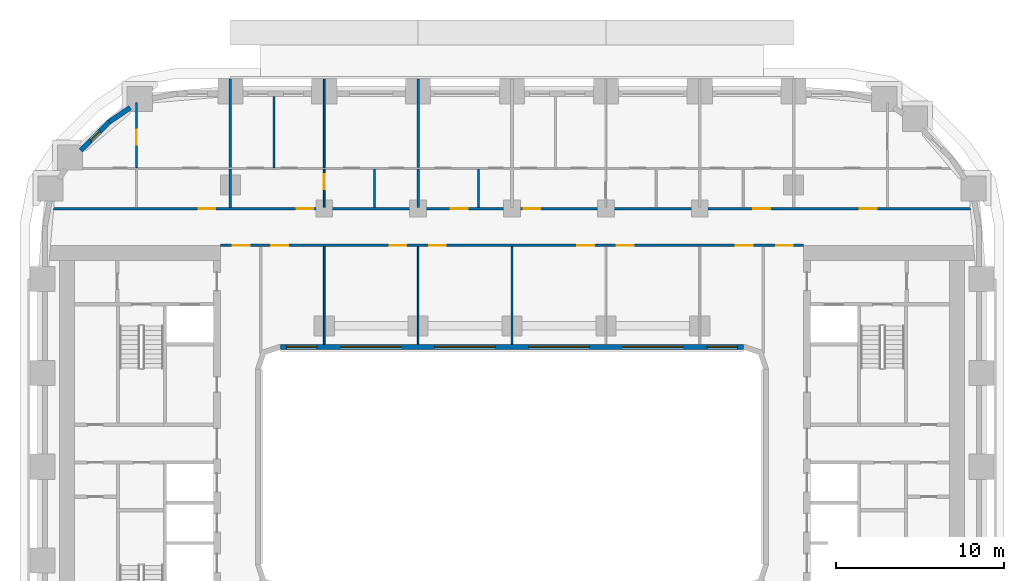
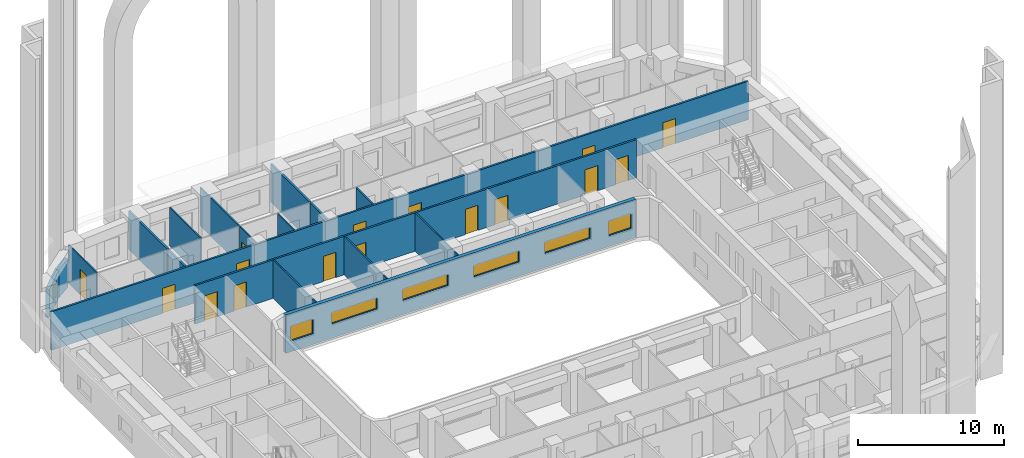
# One storey, part 7 of 21: 18 walls, 16 doors, 7 windows, 23 openings.
"""IFC4 building model written with IfcOpenShell, lengths in metres."""

from ifc_helpers import new_model, si_unit, direction, frame, frame_2d, origin, place, context, subcontext, project, spatial, rectangle, extrude, material, layer, layer_set, type_object, element, fill, save


model = new_model("IFC4")

# Units and contexts
model_context = context("Model", 3, precision=1e-05, world=origin(), true_north=direction((0.0, 1.0)))
body_context = subcontext(model_context, "Body", "Model", "MODEL_VIEW")
ifc_project = project(units=[si_unit("LENGTHUNIT", "METRE"), si_unit("AREAUNIT", "SQUARE_METRE"), si_unit("VOLUMEUNIT", "CUBIC_METRE"), si_unit("PLANEANGLEUNIT", "RADIAN"), si_unit("MASSUNIT", "GRAM", prefix="KILO")], contexts=[model_context])

# Site, building, storey
site_placement = place(None, origin())
site = spatial("IfcSite", under=ifc_project, at=site_placement, CompositionType="ELEMENT")
building_placement = place(site_placement, origin())
building = spatial("IfcBuilding", under=site, at=building_placement, Name="Kiln Ring Residences", CompositionType="ELEMENT")
storey_placement = place(building_placement, frame((0.0, 0.0, 30.5)))
storey = spatial("IfcBuildingStorey", under=building, at=storey_placement, Name="L06", CompositionType="ELEMENT", Elevation=30.5)

# Wall
ifc_material_1 = material(Name="Brick masonry, dark clay brick", Category="masonry")
ifc_layer_1 = layer(ifc_material_1, 0.300048828125)
ifc_layer_set_1 = layer_set([ifc_layer_1], Name="EW-300 BRICK WALL")
wall_type_1 = type_object("IfcWallType", Name="EW-300 BRICK WALL", PredefinedType="SOLIDWALL", material=ifc_layer_set_1)
wall_1_placement = place(storey_placement, frame((-22.76708984375, 21.425537109375, 0.0), z_axis=(0.0, 0.0, 1.0), x_axis=(-0.827028997312, -0.562159263559, 0.0)))
element("IfcWall", 1, at=wall_1_placement, inside=storey, type_object=wall_type_1, Name="Facade wall L06 37", PredefinedType="SOLIDWALL", context=body_context, shape_type="SweptSolid", body=[
    extrude(rectangle(XDim=1.506103515625, YDim=0.300048828125, at=frame_2d((0.7529296875, 0.0))), origin(), (0.0, 0.0, 1.0), 2.35009765625),
])

# Wall, opening, window
wall_2_placement = place(storey_placement, frame((-23.990966796875, 20.596923828125, 0.0), z_axis=(0.0, 0.0, 1.0), x_axis=(-0.707106781187, -0.707106781187, 0.0)))
wall_2 = element("IfcWall", 2, at=wall_2_placement, inside=storey, type_object=wall_type_1, Name="Facade wall L06 38", PredefinedType="SOLIDWALL", context=body_context, shape_type="SweptSolid", body=[
    extrude(rectangle(XDim=2.449951171875, YDim=0.300048828125, at=frame_2d((1.22509765625, 0.0))), origin(), (0.0, 0.0, 1.0), 2.35009765625),
])
opening_1_placement = place(wall_2_placement, frame((0.824951171875, 0.0, 0.60009765625)))
opening_1 = element("IfcOpeningElement", 3, at=opening_1_placement, cuts=wall_2, Name="Opening W5", PredefinedType="OPENING", context=body_context, shape_type="SweptSolid", body=[
    extrude(rectangle(XDim=0.800048828125, YDim=1.550048828125, at=frame_2d((0.39990234375, 0.77490234375))), frame((0.0, 0.159912109375, 0.0), z_axis=(0.0, -1.0, 0.0), x_axis=(1.0, 0.0, 0.0)), (0.0, 0.0, 1.0), 0.320068359375),
])
ifc_material_2 = material(Name="Aluminium frame with double glazing", Category="aluminium")
window_type_1 = type_object("IfcWindowType", Name="WINDOW 800 x 1550", PartitioningType="SINGLE_PANEL", PredefinedType="WINDOW", material=ifc_material_2)
window_1_placement = place(opening_1_placement, origin())
window_1 = element("IfcWindow", 4, at=window_1_placement, inside=storey, type_object=window_type_1, Name="Window L06 21", OverallHeight=1.550048828125, OverallWidth=0.800048828125, PartitioningType="SINGLE_PANEL", PredefinedType="WINDOW", context=body_context, shape_type="SweptSolid", body=[
    extrude(rectangle(XDim=0.800048828125, YDim=1.550048828125, at=frame_2d((0.39990234375, 0.77490234375))), frame((0.0, 0.030029296875, 0.0), z_axis=(0.0, -1.0, 0.0), x_axis=(1.0, 0.0, 0.0)), (0.0, 0.0, 1.0), 0.06005859375),
])
fill(opening_1, window_1)

# Wall, openings, windows
wall_3_placement = place(storey_placement, frame((-13.800048828125, 7.14990234375, 0.0), z_axis=(0.0, 0.0, 1.0), x_axis=(1.0, 0.0, 0.0)))
wall_3 = element("IfcWall", 5, at=wall_3_placement, inside=storey, type_object=wall_type_1, Name="Facade wall L06 50", PredefinedType="SOLIDWALL", context=body_context, shape_type="SweptSolid", body=[
    extrude(rectangle(XDim=27.60009765625, YDim=0.300048828125, at=frame_2d((13.800048828125, 0.0))), origin(), (0.0, 0.0, 1.0), 3.199951171875),
])
opening_2_placement = place(wall_3_placement, frame((0.362548828125, 0.0, 0.89990234375)))
opening_2 = element("IfcOpeningElement", 6, at=opening_2_placement, cuts=wall_3, Name="Opening W2", PredefinedType="OPENING", context=body_context, shape_type="SweptSolid", body=[
    extrude(rectangle(XDim=1.800048828125, YDim=1.25, at=frame_2d((0.89990234375, 0.625))), frame((0.0, 0.159912109375, 0.0), z_axis=(0.0, -1.0, 0.0), x_axis=(1.0, 0.0, 0.0)), (0.0, 0.0, 1.0), 0.320068359375),
])
opening_3_placement = place(wall_3_placement, frame((3.60009765625, 0.0, 1.199951171875)))
opening_3 = element("IfcOpeningElement", 7, at=opening_3_placement, cuts=wall_3, Name="Opening W4", PredefinedType="OPENING", context=body_context, shape_type="SweptSolid", body=[
    extrude(rectangle(XDim=3.60009765625, YDim=0.949951171875, at=frame_2d((1.800048828125, 0.47509765625))), frame((0.0, 0.159912109375, 0.0), z_axis=(0.0, -1.0, 0.0), x_axis=(1.0, 0.0, 0.0)), (0.0, 0.0, 1.0), 0.320068359375),
])
opening_4_placement = place(wall_3_placement, frame((9.199951171875, 0.0, 1.199951171875)))
opening_4 = element("IfcOpeningElement", 8, at=opening_4_placement, cuts=wall_3, Name="Opening W4", PredefinedType="OPENING", context=body_context, shape_type="SweptSolid", body=[
    extrude(rectangle(XDim=3.60009765625, YDim=0.949951171875, at=frame_2d((1.800048828125, 0.47509765625))), frame((0.0, 0.159912109375, 0.0), z_axis=(0.0, -1.0, 0.0), x_axis=(1.0, 0.0, 0.0)), (0.0, 0.0, 1.0), 0.320068359375),
])
opening_5_placement = place(wall_3_placement, frame((14.800048828125, 0.0, 1.199951171875)))
opening_5 = element("IfcOpeningElement", 9, at=opening_5_placement, cuts=wall_3, Name="Opening W4", PredefinedType="OPENING", context=body_context, shape_type="SweptSolid", body=[
    extrude(rectangle(XDim=3.60009765625, YDim=0.949951171875, at=frame_2d((1.800048828125, 0.47509765625))), frame((0.0, 0.159912109375, 0.0), z_axis=(0.0, -1.0, 0.0), x_axis=(1.0, 0.0, 0.0)), (0.0, 0.0, 1.0), 0.320068359375),
])
opening_6_placement = place(wall_3_placement, frame((20.39990234375, 0.0, 1.199951171875)))
opening_6 = element("IfcOpeningElement", 10, at=opening_6_placement, cuts=wall_3, Name="Opening W4", PredefinedType="OPENING", context=body_context, shape_type="SweptSolid", body=[
    extrude(rectangle(XDim=3.60009765625, YDim=0.949951171875, at=frame_2d((1.800048828125, 0.47509765625))), frame((0.0, 0.159912109375, 0.0), z_axis=(0.0, -1.0, 0.0), x_axis=(1.0, 0.0, 0.0)), (0.0, 0.0, 1.0), 0.320068359375),
])
opening_7_placement = place(wall_3_placement, frame((25.4375, 0.0, 0.89990234375)))
opening_7 = element("IfcOpeningElement", 11, at=opening_7_placement, cuts=wall_3, Name="Opening W2", PredefinedType="OPENING", context=body_context, shape_type="SweptSolid", body=[
    extrude(rectangle(XDim=1.800048828125, YDim=1.25, at=frame_2d((0.89990234375, 0.625))), frame((0.0, 0.159912109375, 0.0), z_axis=(0.0, -1.0, 0.0), x_axis=(1.0, 0.0, 0.0)), (0.0, 0.0, 1.0), 0.320068359375),
])
ifc_material_3 = material(Name="Aluminium frame with double glazing", Category="aluminium")
window_type_2 = type_object("IfcWindowType", Name="WINDOW 1800 x 1250", PartitioningType="SINGLE_PANEL", PredefinedType="WINDOW", material=ifc_material_3)
window_2_placement = place(opening_2_placement, origin())
window_2 = element("IfcWindow", 12, at=window_2_placement, inside=storey, type_object=window_type_2, Name="Window L06 22", OverallHeight=1.25, OverallWidth=1.800048828125, PartitioningType="SINGLE_PANEL", PredefinedType="WINDOW", context=body_context, shape_type="SweptSolid", body=[
    extrude(rectangle(XDim=1.800048828125, YDim=1.25, at=frame_2d((0.89990234375, 0.625))), frame((0.0, 0.030029296875, 0.0), z_axis=(0.0, -1.0, 0.0), x_axis=(1.0, 0.0, 0.0)), (0.0, 0.0, 1.0), 0.06005859375),
])
fill(opening_2, window_2)
window_3_placement = place(opening_7_placement, origin())
window_3 = element("IfcWindow", 13, at=window_3_placement, inside=storey, type_object=window_type_2, Name="Window L06 27", OverallHeight=1.25, OverallWidth=1.800048828125, PartitioningType="SINGLE_PANEL", PredefinedType="WINDOW", context=body_context, shape_type="SweptSolid", body=[
    extrude(rectangle(XDim=1.800048828125, YDim=1.25, at=frame_2d((0.89990234375, 0.625))), frame((0.0, 0.030029296875, 0.0), z_axis=(0.0, -1.0, 0.0), x_axis=(1.0, 0.0, 0.0)), (0.0, 0.0, 1.0), 0.06005859375),
])
fill(opening_7, window_3)
ifc_material_4 = material(Name="Aluminium frame with double glazing", Category="aluminium")
window_type_3 = type_object("IfcWindowType", Name="WINDOW 3600 x 950", PartitioningType="SINGLE_PANEL", PredefinedType="WINDOW", material=ifc_material_4)
window_4_placement = place(opening_3_placement, origin())
window_4 = element("IfcWindow", 14, at=window_4_placement, inside=storey, type_object=window_type_3, Name="Window L06 23", OverallHeight=0.949951171875, OverallWidth=3.60009765625, PartitioningType="SINGLE_PANEL", PredefinedType="WINDOW", context=body_context, shape_type="SweptSolid", body=[
    extrude(rectangle(XDim=3.60009765625, YDim=0.949951171875, at=frame_2d((1.800048828125, 0.47509765625))), frame((0.0, 0.030029296875, 0.0), z_axis=(0.0, -1.0, 0.0), x_axis=(1.0, 0.0, 0.0)), (0.0, 0.0, 1.0), 0.06005859375),
])
fill(opening_3, window_4)
window_5_placement = place(opening_4_placement, origin())
window_5 = element("IfcWindow", 15, at=window_5_placement, inside=storey, type_object=window_type_3, Name="Window L06 24", OverallHeight=0.949951171875, OverallWidth=3.60009765625, PartitioningType="SINGLE_PANEL", PredefinedType="WINDOW", context=body_context, shape_type="SweptSolid", body=[
    extrude(rectangle(XDim=3.60009765625, YDim=0.949951171875, at=frame_2d((1.800048828125, 0.47509765625))), frame((0.0, 0.030029296875, 0.0), z_axis=(0.0, -1.0, 0.0), x_axis=(1.0, 0.0, 0.0)), (0.0, 0.0, 1.0), 0.06005859375),
])
fill(opening_4, window_5)
window_6_placement = place(opening_5_placement, origin())
window_6 = element("IfcWindow", 16, at=window_6_placement, inside=storey, type_object=window_type_3, Name="Window L06 25", OverallHeight=0.949951171875, OverallWidth=3.60009765625, PartitioningType="SINGLE_PANEL", PredefinedType="WINDOW", context=body_context, shape_type="SweptSolid", body=[
    extrude(rectangle(XDim=3.60009765625, YDim=0.949951171875, at=frame_2d((1.800048828125, 0.47509765625))), frame((0.0, 0.030029296875, 0.0), z_axis=(0.0, -1.0, 0.0), x_axis=(1.0, 0.0, 0.0)), (0.0, 0.0, 1.0), 0.06005859375),
])
fill(opening_5, window_6)
window_7_placement = place(opening_6_placement, origin())
window_7 = element("IfcWindow", 17, at=window_7_placement, inside=storey, type_object=window_type_3, Name="Window L06 26", OverallHeight=0.949951171875, OverallWidth=3.60009765625, PartitioningType="SINGLE_PANEL", PredefinedType="WINDOW", context=body_context, shape_type="SweptSolid", body=[
    extrude(rectangle(XDim=3.60009765625, YDim=0.949951171875, at=frame_2d((1.800048828125, 0.47509765625))), frame((0.0, 0.030029296875, 0.0), z_axis=(0.0, -1.0, 0.0), x_axis=(1.0, 0.0, 0.0)), (0.0, 0.0, 1.0), 0.06005859375),
])
fill(opening_6, window_7)

# Wall, opening, door
ifc_material_5 = material(Name="Gypsum board on steel studs", Category="steel")
ifc_layer_2 = layer(ifc_material_5, 0.10009765625)
ifc_layer_set_2 = layer_set([ifc_layer_2], Name="PARTITION-100")
wall_type_2 = type_object("IfcWallType", Name="PARTITION-100", PredefinedType="PARTITIONING", material=ifc_layer_set_2)
wall_4_placement = place(storey_placement, frame((-22.39990234375, 17.85009765625, 0.0), z_axis=(0.0, 0.0, 1.0), x_axis=(0.0, 1.0, 0.0)))
wall_4 = element("IfcWall", 18, at=wall_4_placement, inside=storey, type_object=wall_type_2, Name="Partition 009", PredefinedType="PARTITIONING", context=body_context, shape_type="SweptSolid", body=[
    extrude(rectangle(XDim=3.869873046875, YDim=0.10009765625, at=frame_2d((1.93505859375, 0.0))), origin(), (0.0, 0.0, 1.0), 3.199951171875),
])
opening_8_placement = place(wall_4_placement, frame((1.347900390625, 0.0, 0.0)))
opening_8 = element("IfcOpeningElement", 19, at=opening_8_placement, cuts=wall_4, Name="Opening L06-D014", PredefinedType="OPENING", context=body_context, shape_type="SweptSolid", body=[
    extrude(rectangle(XDim=0.89990234375, YDim=2.10009765625, at=frame_2d((0.449951171875, 1.050048828125))), frame((0.0, 0.06005859375, 0.0), z_axis=(0.0, -1.0, 0.0), x_axis=(1.0, 0.0, 0.0)), (0.0, 0.0, 1.0), 0.1201171875),
])
ifc_material_6 = material(Name="Timber door leaf", Category="wood")
door_type_1 = type_object("IfcDoorType", Name="FLAT-DOOR-900-PL", OperationType="SINGLE_SWING_LEFT", PredefinedType="DOOR", material=ifc_material_6)
door_1_placement = place(opening_8_placement, origin())
door_1 = element("IfcDoor", 20, at=door_1_placement, inside=storey, type_object=door_type_1, Name="Door L06-D014", OperationType="SINGLE_SWING_RIGHT", OverallHeight=2.10009765625, OverallWidth=0.89990234375, PredefinedType="DOOR", context=body_context, shape_type="SweptSolid", body=[
    extrude(rectangle(XDim=0.89990234375, YDim=2.10009765625, at=frame_2d((0.449951171875, 1.050048828125))), frame((0.0, 0.02490234375, 0.0), z_axis=(0.0, -1.0, 0.0), x_axis=(1.0, 0.0, 0.0)), (0.0, 0.0, 1.0), 0.050048828125),
])
fill(opening_8, door_1)

# Walls
wall_5_placement = place(storey_placement, frame((-14.199951171875, 17.85009765625, 0.0), z_axis=(0.0, 0.0, 1.0), x_axis=(0.0, 1.0, 0.0)))
element("IfcWall", 21, at=wall_5_placement, inside=storey, type_object=wall_type_2, Name="Partition 016", PredefinedType="PARTITIONING", context=body_context, shape_type="SweptSolid", body=[
    extrude(rectangle(XDim=4.22998046875, YDim=0.10009765625, at=frame_2d((2.114990234375, 0.0))), origin(), (0.0, 0.0, 1.0), 3.199951171875),
])
wall_6_placement = place(storey_placement, frame((-11.199951171875, 7.320068359375, 0.0), z_axis=(0.0, 0.0, 1.0), x_axis=(0.0, 1.0, 0.0)))
element("IfcWall", 22, at=wall_6_placement, inside=storey, type_object=wall_type_2, Name="Partition 019", PredefinedType="PARTITIONING", context=body_context, shape_type="SweptSolid", body=[
    extrude(rectangle(XDim=5.804931640625, YDim=0.10009765625, at=frame_2d((2.90234375, 0.0))), origin(), (0.0, 0.0, 1.0), 3.199951171875),
])

# Wall, opening, door
wall_7_placement = place(storey_placement, frame((-11.199951171875, 15.47509765625, 0.0), z_axis=(0.0, 0.0, 1.0), x_axis=(0.0, 1.0, 0.0)))
wall_7 = element("IfcWall", 23, at=wall_7_placement, inside=storey, type_object=wall_type_2, Name="Partition 020", PredefinedType="PARTITIONING", context=body_context, shape_type="SweptSolid", body=[
    extrude(rectangle(XDim=2.27490234375, YDim=0.10009765625, at=frame_2d((1.137451171875, 0.0))), origin(), (0.0, 0.0, 1.0), 3.199951171875),
])
opening_9_placement = place(wall_7_placement, frame((1.075927734375, 0.0, 0.0)))
opening_9 = element("IfcOpeningElement", 24, at=opening_9_placement, cuts=wall_7, Name="Opening L06-D016", PredefinedType="OPENING", context=body_context, shape_type="SweptSolid", body=[
    extrude(rectangle(XDim=0.89990234375, YDim=2.10009765625, at=frame_2d((0.449951171875, 1.050048828125))), frame((0.0, 0.06005859375, 0.0), z_axis=(0.0, -1.0, 0.0), x_axis=(1.0, 0.0, 0.0)), (0.0, 0.0, 1.0), 0.1201171875),
])
door_2_placement = place(opening_9_placement, origin())
door_2 = element("IfcDoor", 25, at=door_2_placement, inside=storey, type_object=door_type_1, Name="Door L06-D016", OperationType="SINGLE_SWING_RIGHT", OverallHeight=2.10009765625, OverallWidth=0.89990234375, PredefinedType="DOOR", context=body_context, shape_type="SweptSolid", body=[
    extrude(rectangle(XDim=0.89990234375, YDim=2.10009765625, at=frame_2d((0.449951171875, 1.050048828125))), frame((0.0, 0.02490234375, 0.0), z_axis=(0.0, -1.0, 0.0), x_axis=(1.0, 0.0, 0.0)), (0.0, 0.0, 1.0), 0.050048828125),
])
fill(opening_9, door_2)

# Walls
wall_8_placement = place(storey_placement, frame((-11.199951171875, 17.85009765625, 0.0), z_axis=(0.0, 0.0, 1.0), x_axis=(0.0, 1.0, 0.0)))
element("IfcWall", 26, at=wall_8_placement, inside=storey, type_object=wall_type_2, Name="Partition 021", PredefinedType="PARTITIONING", context=body_context, shape_type="SweptSolid", body=[
    extrude(rectangle(XDim=5.27978515625, YDim=0.10009765625, at=frame_2d((2.639892578125, 0.0))), origin(), (0.0, 0.0, 1.0), 3.199951171875),
])
wall_9_placement = place(storey_placement, frame((-8.199951171875, 15.47509765625, 0.0), z_axis=(0.0, 0.0, 1.0), x_axis=(0.0, 1.0, 0.0)))
element("IfcWall", 27, at=wall_9_placement, inside=storey, type_object=wall_type_2, Name="Partition 025", PredefinedType="PARTITIONING", context=body_context, shape_type="SweptSolid", body=[
    extrude(rectangle(XDim=2.27490234375, YDim=0.10009765625, at=frame_2d((1.137451171875, 0.0))), origin(), (0.0, 0.0, 1.0), 3.199951171875),
])
wall_10_placement = place(storey_placement, frame((-5.60009765625, 7.320068359375, 0.0), z_axis=(0.0, 0.0, 1.0), x_axis=(0.0, 1.0, 0.0)))
element("IfcWall", 28, at=wall_10_placement, inside=storey, type_object=wall_type_2, Name="Partition 027", PredefinedType="PARTITIONING", context=body_context, shape_type="SweptSolid", body=[
    extrude(rectangle(XDim=5.804931640625, YDim=0.10009765625, at=frame_2d((2.90234375, 0.0))), origin(), (0.0, 0.0, 1.0), 3.199951171875),
])
wall_11_placement = place(storey_placement, frame((-2.0, 15.47509765625, 0.0), z_axis=(0.0, 0.0, 1.0), x_axis=(0.0, 1.0, 0.0)))
element("IfcWall", 29, at=wall_11_placement, inside=storey, type_object=wall_type_2, Name="Partition 033", PredefinedType="PARTITIONING", context=body_context, shape_type="SweptSolid", body=[
    extrude(rectangle(XDim=2.27490234375, YDim=0.10009765625, at=frame_2d((1.137451171875, 0.0))), origin(), (0.0, 0.0, 1.0), 3.199951171875),
])
wall_12_placement = place(storey_placement, frame((0.0, 7.320068359375, 0.0), z_axis=(0.0, 0.0, 1.0), x_axis=(0.0, 1.0, 0.0)))
element("IfcWall", 30, at=wall_12_placement, inside=storey, type_object=wall_type_2, Name="Partition 035", PredefinedType="PARTITIONING", context=body_context, shape_type="SweptSolid", body=[
    extrude(rectangle(XDim=5.804931640625, YDim=0.10009765625, at=frame_2d((2.90234375, 0.0))), origin(), (0.0, 0.0, 1.0), 3.199951171875),
])

# Wall, openings, doors
ifc_material_7 = material(Name="Brick masonry partition", Category="masonry")
ifc_layer_3 = layer(ifc_material_7, 0.14990234375)
ifc_layer_set_3 = layer_set([ifc_layer_3], Name="PARTITION-150-ei60")
wall_type_3 = type_object("IfcWallType", Name="PARTITION-150-ei60", PredefinedType="PARTITIONING", material=ifc_layer_set_3)
wall_13_placement = place(storey_placement, frame((-17.39990234375, 13.199951171875, 0.0), z_axis=(0.0, 0.0, 1.0), x_axis=(1.0, 0.0, 0.0)))
wall_13 = element("IfcWall", 31, at=wall_13_placement, inside=storey, type_object=wall_type_3, Name="Partition 003", PredefinedType="PARTITIONING", context=body_context, shape_type="SweptSolid", body=[
    extrude(rectangle(XDim=34.7998046875, YDim=0.14990234375, at=frame_2d((17.39990234375, 0.0))), origin(), (0.0, 0.0, 1.0), 3.199951171875),
])
opening_10_placement = place(wall_13_placement, frame((0.75, 0.0, 0.0)))
opening_10 = element("IfcOpeningElement", 32, at=opening_10_placement, cuts=wall_13, Name="Opening L06-D001", PredefinedType="OPENING", context=body_context, shape_type="SweptSolid", body=[
    extrude(rectangle(XDim=1.0, YDim=2.10009765625, at=frame_2d((0.5, 1.050048828125))), frame((0.0, 0.0849609375, 0.0), z_axis=(0.0, -1.0, 0.0), x_axis=(1.0, 0.0, 0.0)), (0.0, 0.0, 1.0), 0.169921875),
])
opening_11_placement = place(wall_13_placement, frame((33.14990234375, 0.0, 0.0)))
opening_11 = element("IfcOpeningElement", 33, at=opening_11_placement, cuts=wall_13, Name="Opening L06-D002", PredefinedType="OPENING", context=body_context, shape_type="SweptSolid", body=[
    extrude(rectangle(XDim=1.0, YDim=2.10009765625, at=frame_2d((0.5, 1.050048828125))), frame((0.0, 0.0849609375, 0.0), z_axis=(0.0, -1.0, 0.0), x_axis=(1.0, 0.0, 0.0)), (0.0, 0.0, 1.0), 0.169921875),
])
opening_12_placement = place(wall_13_placement, frame((3.050048828125, 0.0, 0.0)))
opening_12 = element("IfcOpeningElement", 34, at=opening_12_placement, cuts=wall_13, Name="Opening L06-D005", PredefinedType="OPENING", context=body_context, shape_type="SweptSolid", body=[
    extrude(rectangle(XDim=1.0, YDim=2.10009765625, at=frame_2d((0.5, 1.050048828125))), frame((0.0, 0.0849609375, 0.0), z_axis=(0.0, -1.0, 0.0), x_axis=(1.0, 0.0, 0.0)), (0.0, 0.0, 1.0), 0.169921875),
])
opening_13_placement = place(wall_13_placement, frame((10.10009765625, 0.0, 0.0)))
opening_13 = element("IfcOpeningElement", 35, at=opening_13_placement, cuts=wall_13, Name="Opening L06-D006", PredefinedType="OPENING", context=body_context, shape_type="SweptSolid", body=[
    extrude(rectangle(XDim=1.0, YDim=2.10009765625, at=frame_2d((0.5, 1.050048828125))), frame((0.0, 0.0849609375, 0.0), z_axis=(0.0, -1.0, 0.0), x_axis=(1.0, 0.0, 0.0)), (0.0, 0.0, 1.0), 0.169921875),
])
opening_14_placement = place(wall_13_placement, frame((12.449951171875, 0.0, 0.0)))
opening_14 = element("IfcOpeningElement", 36, at=opening_14_placement, cuts=wall_13, Name="Opening L06-D007", PredefinedType="OPENING", context=body_context, shape_type="SweptSolid", body=[
    extrude(rectangle(XDim=1.0, YDim=2.10009765625, at=frame_2d((0.5, 1.050048828125))), frame((0.0, 0.0849609375, 0.0), z_axis=(0.0, -1.0, 0.0), x_axis=(1.0, 0.0, 0.0)), (0.0, 0.0, 1.0), 0.169921875),
])
opening_15_placement = place(wall_13_placement, frame((21.300048828125, 0.0, 0.0)))
opening_15 = element("IfcOpeningElement", 37, at=opening_15_placement, cuts=wall_13, Name="Opening L06-D008", PredefinedType="OPENING", context=body_context, shape_type="SweptSolid", body=[
    extrude(rectangle(XDim=1.0, YDim=2.10009765625, at=frame_2d((0.5, 1.050048828125))), frame((0.0, 0.0849609375, 0.0), z_axis=(0.0, -1.0, 0.0), x_axis=(1.0, 0.0, 0.0)), (0.0, 0.0, 1.0), 0.169921875),
])
opening_16_placement = place(wall_13_placement, frame((23.64990234375, 0.0, 0.0)))
opening_16 = element("IfcOpeningElement", 38, at=opening_16_placement, cuts=wall_13, Name="Opening L06-D009", PredefinedType="OPENING", context=body_context, shape_type="SweptSolid", body=[
    extrude(rectangle(XDim=1.0, YDim=2.10009765625, at=frame_2d((0.5, 1.050048828125))), frame((0.0, 0.0849609375, 0.0), z_axis=(0.0, -1.0, 0.0), x_axis=(1.0, 0.0, 0.0)), (0.0, 0.0, 1.0), 0.169921875),
])
opening_17_placement = place(wall_13_placement, frame((30.75, 0.0, 0.0)))
opening_17 = element("IfcOpeningElement", 39, at=opening_17_placement, cuts=wall_13, Name="Opening L06-D010", PredefinedType="OPENING", context=body_context, shape_type="SweptSolid", body=[
    extrude(rectangle(XDim=1.0, YDim=2.10009765625, at=frame_2d((0.5, 1.050048828125))), frame((0.0, 0.0849609375, 0.0), z_axis=(0.0, -1.0, 0.0), x_axis=(1.0, 0.0, 0.0)), (0.0, 0.0, 1.0), 0.169921875),
])
ifc_material_8 = material(Name="Steel faced fire door leaf", Category="steel")
door_type_2 = type_object("IfcDoorType", Name="FLAT-DOOR-1000-FR", OperationType="SINGLE_SWING_LEFT", PredefinedType="DOOR", material=ifc_material_8)
door_3_placement = place(opening_10_placement, origin())
door_3 = element("IfcDoor", 40, at=door_3_placement, inside=storey, type_object=door_type_2, Name="Door L06-D001", OperationType="SINGLE_SWING_RIGHT", OverallHeight=2.10009765625, OverallWidth=1.0, PredefinedType="DOOR", context=body_context, shape_type="SweptSolid", body=[
    extrude(rectangle(XDim=1.0, YDim=2.10009765625, at=frame_2d((0.5, 1.050048828125))), frame((0.0, 0.02490234375, 0.0), z_axis=(0.0, -1.0, 0.0), x_axis=(1.0, 0.0, 0.0)), (0.0, 0.0, 1.0), 0.050048828125),
])
fill(opening_10, door_3)
door_4_placement = place(opening_11_placement, origin())
door_4 = element("IfcDoor", 41, at=door_4_placement, inside=storey, type_object=door_type_2, Name="Door L06-D002", OperationType="SINGLE_SWING_LEFT", OverallHeight=2.10009765625, OverallWidth=1.0, PredefinedType="DOOR", context=body_context, shape_type="SweptSolid", body=[
    extrude(rectangle(XDim=1.0, YDim=2.10009765625, at=frame_2d((0.5, 1.050048828125))), frame((0.0, 0.02490234375, 0.0), z_axis=(0.0, -1.0, 0.0), x_axis=(1.0, 0.0, 0.0)), (0.0, 0.0, 1.0), 0.050048828125),
])
fill(opening_11, door_4)
door_5_placement = place(opening_12_placement, origin())
door_5 = element("IfcDoor", 42, at=door_5_placement, inside=storey, type_object=door_type_2, Name="Door L06-D005", OperationType="SINGLE_SWING_LEFT", OverallHeight=2.10009765625, OverallWidth=1.0, PredefinedType="DOOR", context=body_context, shape_type="SweptSolid", body=[
    extrude(rectangle(XDim=1.0, YDim=2.10009765625, at=frame_2d((0.5, 1.050048828125))), frame((0.0, 0.02490234375, 0.0), z_axis=(0.0, -1.0, 0.0), x_axis=(1.0, 0.0, 0.0)), (0.0, 0.0, 1.0), 0.050048828125),
])
fill(opening_12, door_5)
door_6_placement = place(opening_13_placement, origin())
door_6 = element("IfcDoor", 43, at=door_6_placement, inside=storey, type_object=door_type_2, Name="Door L06-D006", OperationType="SINGLE_SWING_RIGHT", OverallHeight=2.10009765625, OverallWidth=1.0, PredefinedType="DOOR", context=body_context, shape_type="SweptSolid", body=[
    extrude(rectangle(XDim=1.0, YDim=2.10009765625, at=frame_2d((0.5, 1.050048828125))), frame((0.0, 0.02490234375, 0.0), z_axis=(0.0, -1.0, 0.0), x_axis=(1.0, 0.0, 0.0)), (0.0, 0.0, 1.0), 0.050048828125),
])
fill(opening_13, door_6)
door_7_placement = place(opening_14_placement, origin())
door_7 = element("IfcDoor", 44, at=door_7_placement, inside=storey, type_object=door_type_2, Name="Door L06-D007", OperationType="SINGLE_SWING_LEFT", OverallHeight=2.10009765625, OverallWidth=1.0, PredefinedType="DOOR", context=body_context, shape_type="SweptSolid", body=[
    extrude(rectangle(XDim=1.0, YDim=2.10009765625, at=frame_2d((0.5, 1.050048828125))), frame((0.0, 0.02490234375, 0.0), z_axis=(0.0, -1.0, 0.0), x_axis=(1.0, 0.0, 0.0)), (0.0, 0.0, 1.0), 0.050048828125),
])
fill(opening_14, door_7)
door_8_placement = place(opening_15_placement, origin())
door_8 = element("IfcDoor", 45, at=door_8_placement, inside=storey, type_object=door_type_2, Name="Door L06-D008", OperationType="SINGLE_SWING_RIGHT", OverallHeight=2.10009765625, OverallWidth=1.0, PredefinedType="DOOR", context=body_context, shape_type="SweptSolid", body=[
    extrude(rectangle(XDim=1.0, YDim=2.10009765625, at=frame_2d((0.5, 1.050048828125))), frame((0.0, 0.02490234375, 0.0), z_axis=(0.0, -1.0, 0.0), x_axis=(1.0, 0.0, 0.0)), (0.0, 0.0, 1.0), 0.050048828125),
])
fill(opening_15, door_8)
door_9_placement = place(opening_16_placement, origin())
door_9 = element("IfcDoor", 46, at=door_9_placement, inside=storey, type_object=door_type_2, Name="Door L06-D009", OperationType="SINGLE_SWING_LEFT", OverallHeight=2.10009765625, OverallWidth=1.0, PredefinedType="DOOR", context=body_context, shape_type="SweptSolid", body=[
    extrude(rectangle(XDim=1.0, YDim=2.10009765625, at=frame_2d((0.5, 1.050048828125))), frame((0.0, 0.02490234375, 0.0), z_axis=(0.0, -1.0, 0.0), x_axis=(1.0, 0.0, 0.0)), (0.0, 0.0, 1.0), 0.050048828125),
])
fill(opening_16, door_9)
door_10_placement = place(opening_17_placement, origin())
door_10 = element("IfcDoor", 47, at=door_10_placement, inside=storey, type_object=door_type_2, Name="Door L06-D010", OperationType="SINGLE_SWING_RIGHT", OverallHeight=2.10009765625, OverallWidth=1.0, PredefinedType="DOOR", context=body_context, shape_type="SweptSolid", body=[
    extrude(rectangle(XDim=1.0, YDim=2.10009765625, at=frame_2d((0.5, 1.050048828125))), frame((0.0, 0.02490234375, 0.0), z_axis=(0.0, -1.0, 0.0), x_axis=(1.0, 0.0, 0.0)), (0.0, 0.0, 1.0), 0.050048828125),
])
fill(opening_17, door_10)

wall_14_placement = place(storey_placement, frame((-27.48388671875, 15.39990234375, 0.0), z_axis=(0.0, 0.0, 1.0), x_axis=(1.0, 0.0, 0.0)))
wall_14 = element("IfcWall", 48, at=wall_14_placement, inside=storey, type_object=wall_type_3, Name="Partition 004", PredefinedType="PARTITIONING", context=body_context, shape_type="SweptSolid", body=[
    extrude(rectangle(XDim=54.9677734375, YDim=0.14990234375, at=frame_2d((27.48388671875, 0.0))), origin(), (0.0, 0.0, 1.0), 3.199951171875),
])
opening_18_placement = place(wall_14_placement, frame((8.78369140625, 0.0, 0.0)))
opening_18 = element("IfcOpeningElement", 49, at=opening_18_placement, cuts=wall_14, Name="Opening L06-D011", PredefinedType="OPENING", context=body_context, shape_type="SweptSolid", body=[
    extrude(rectangle(XDim=1.0, YDim=2.10009765625, at=frame_2d((0.5, 1.050048828125))), frame((0.0, 0.0849609375, 0.0), z_axis=(0.0, -1.0, 0.0), x_axis=(1.0, 0.0, 0.0)), (0.0, 0.0, 1.0), 0.169921875),
])
opening_19_placement = place(wall_14_placement, frame((14.6337890625, 0.0, 0.0)))
opening_19 = element("IfcOpeningElement", 50, at=opening_19_placement, cuts=wall_14, Name="Opening L06-D015", PredefinedType="OPENING", context=body_context, shape_type="SweptSolid", body=[
    extrude(rectangle(XDim=1.0, YDim=2.10009765625, at=frame_2d((0.5, 1.050048828125))), frame((0.0, 0.0849609375, 0.0), z_axis=(0.0, -1.0, 0.0), x_axis=(1.0, 0.0, 0.0)), (0.0, 0.0, 1.0), 0.169921875),
])
opening_20_placement = place(wall_14_placement, frame((23.833740234375, 0.0, 0.0)))
opening_20 = element("IfcOpeningElement", 51, at=opening_20_placement, cuts=wall_14, Name="Opening L06-D021", PredefinedType="OPENING", context=body_context, shape_type="SweptSolid", body=[
    extrude(rectangle(XDim=1.0, YDim=2.10009765625, at=frame_2d((0.5, 1.050048828125))), frame((0.0, 0.0849609375, 0.0), z_axis=(0.0, -1.0, 0.0), x_axis=(1.0, 0.0, 0.0)), (0.0, 0.0, 1.0), 0.169921875),
])
opening_21_placement = place(wall_14_placement, frame((28.183837890625, 0.0, 0.0)))
opening_21 = element("IfcOpeningElement", 52, at=opening_21_placement, cuts=wall_14, Name="Opening L06-D024", PredefinedType="OPENING", context=body_context, shape_type="SweptSolid", body=[
    extrude(rectangle(XDim=1.0, YDim=2.10009765625, at=frame_2d((0.5, 1.050048828125))), frame((0.0, 0.0849609375, 0.0), z_axis=(0.0, -1.0, 0.0), x_axis=(1.0, 0.0, 0.0)), (0.0, 0.0, 1.0), 0.169921875),
])
opening_22_placement = place(wall_14_placement, frame((41.8837890625, 0.0, 0.0)))
opening_22 = element("IfcOpeningElement", 53, at=opening_22_placement, cuts=wall_14, Name="Opening L06-D030", PredefinedType="OPENING", context=body_context, shape_type="SweptSolid", body=[
    extrude(rectangle(XDim=1.0, YDim=2.10009765625, at=frame_2d((0.5, 1.050048828125))), frame((0.0, 0.0849609375, 0.0), z_axis=(0.0, -1.0, 0.0), x_axis=(1.0, 0.0, 0.0)), (0.0, 0.0, 1.0), 0.169921875),
])
opening_23_placement = place(wall_14_placement, frame((48.23388671875, 0.0, 0.0)))
opening_23 = element("IfcOpeningElement", 54, at=opening_23_placement, cuts=wall_14, Name="Opening L06-D033", PredefinedType="OPENING", context=body_context, shape_type="SweptSolid", body=[
    extrude(rectangle(XDim=1.0, YDim=2.10009765625, at=frame_2d((0.5, 1.050048828125))), frame((0.0, 0.0849609375, 0.0), z_axis=(0.0, -1.0, 0.0), x_axis=(1.0, 0.0, 0.0)), (0.0, 0.0, 1.0), 0.169921875),
])
door_11_placement = place(opening_18_placement, origin())
door_11 = element("IfcDoor", 55, at=door_11_placement, inside=storey, type_object=door_type_2, Name="Door L06-D011", OperationType="SINGLE_SWING_LEFT", OverallHeight=2.10009765625, OverallWidth=1.0, PredefinedType="DOOR", context=body_context, shape_type="SweptSolid", body=[
    extrude(rectangle(XDim=1.0, YDim=2.10009765625, at=frame_2d((0.5, 1.050048828125))), frame((0.0, 0.02490234375, 0.0), z_axis=(0.0, -1.0, 0.0), x_axis=(1.0, 0.0, 0.0)), (0.0, 0.0, 1.0), 0.050048828125),
])
fill(opening_18, door_11)
door_12_placement = place(opening_19_placement, origin())
door_12 = element("IfcDoor", 56, at=door_12_placement, inside=storey, type_object=door_type_2, Name="Door L06-D015", OperationType="SINGLE_SWING_LEFT", OverallHeight=2.10009765625, OverallWidth=1.0, PredefinedType="DOOR", context=body_context, shape_type="SweptSolid", body=[
    extrude(rectangle(XDim=1.0, YDim=2.10009765625, at=frame_2d((0.5, 1.050048828125))), frame((0.0, 0.02490234375, 0.0), z_axis=(0.0, -1.0, 0.0), x_axis=(1.0, 0.0, 0.0)), (0.0, 0.0, 1.0), 0.050048828125),
])
fill(opening_19, door_12)
door_13_placement = place(opening_20_placement, origin())
door_13 = element("IfcDoor", 57, at=door_13_placement, inside=storey, type_object=door_type_2, Name="Door L06-D021", OperationType="SINGLE_SWING_LEFT", OverallHeight=2.10009765625, OverallWidth=1.0, PredefinedType="DOOR", context=body_context, shape_type="SweptSolid", body=[
    extrude(rectangle(XDim=1.0, YDim=2.10009765625, at=frame_2d((0.5, 1.050048828125))), frame((0.0, 0.02490234375, 0.0), z_axis=(0.0, -1.0, 0.0), x_axis=(1.0, 0.0, 0.0)), (0.0, 0.0, 1.0), 0.050048828125),
])
fill(opening_20, door_13)
door_14_placement = place(opening_21_placement, origin())
door_14 = element("IfcDoor", 58, at=door_14_placement, inside=storey, type_object=door_type_2, Name="Door L06-D024", OperationType="SINGLE_SWING_RIGHT", OverallHeight=2.10009765625, OverallWidth=1.0, PredefinedType="DOOR", context=body_context, shape_type="SweptSolid", body=[
    extrude(rectangle(XDim=1.0, YDim=2.10009765625, at=frame_2d((0.5, 1.050048828125))), frame((0.0, 0.02490234375, 0.0), z_axis=(0.0, -1.0, 0.0), x_axis=(1.0, 0.0, 0.0)), (0.0, 0.0, 1.0), 0.050048828125),
])
fill(opening_21, door_14)
door_15_placement = place(opening_22_placement, origin())
door_15 = element("IfcDoor", 59, at=door_15_placement, inside=storey, type_object=door_type_2, Name="Door L06-D030", OperationType="SINGLE_SWING_RIGHT", OverallHeight=2.10009765625, OverallWidth=1.0, PredefinedType="DOOR", context=body_context, shape_type="SweptSolid", body=[
    extrude(rectangle(XDim=1.0, YDim=2.10009765625, at=frame_2d((0.5, 1.050048828125))), frame((0.0, 0.02490234375, 0.0), z_axis=(0.0, -1.0, 0.0), x_axis=(1.0, 0.0, 0.0)), (0.0, 0.0, 1.0), 0.050048828125),
])
fill(opening_22, door_15)
door_16_placement = place(opening_23_placement, origin())
door_16 = element("IfcDoor", 60, at=door_16_placement, inside=storey, type_object=door_type_2, Name="Door L06-D033", OperationType="SINGLE_SWING_LEFT", OverallHeight=2.10009765625, OverallWidth=1.0, PredefinedType="DOOR", context=body_context, shape_type="SweptSolid", body=[
    extrude(rectangle(XDim=1.0, YDim=2.10009765625, at=frame_2d((0.5, 1.050048828125))), frame((0.0, 0.02490234375, 0.0), z_axis=(0.0, -1.0, 0.0), x_axis=(1.0, 0.0, 0.0)), (0.0, 0.0, 1.0), 0.050048828125),
])
fill(opening_23, door_16)

# Walls
wall_15_placement = place(storey_placement, frame((-16.800048828125, 15.47509765625, 0.0), z_axis=(0.0, 0.0, 1.0), x_axis=(0.0, 1.0, 0.0)))
element("IfcWall", 61, at=wall_15_placement, inside=storey, type_object=wall_type_3, Name="Partition 012", PredefinedType="PARTITIONING", context=body_context, shape_type="SweptSolid", body=[
    extrude(rectangle(XDim=2.27490234375, YDim=0.14990234375, at=frame_2d((1.137451171875, 0.0))), origin(), (0.0, 0.0, 1.0), 3.199951171875),
])
wall_16_placement = place(storey_placement, frame((-16.800048828125, 17.85009765625, 0.0), z_axis=(0.0, 0.0, 1.0), x_axis=(0.0, 1.0, 0.0)))
element("IfcWall", 62, at=wall_16_placement, inside=storey, type_object=wall_type_3, Name="Partition 013", PredefinedType="PARTITIONING", context=body_context, shape_type="SweptSolid", body=[
    extrude(rectangle(XDim=5.27978515625, YDim=0.14990234375, at=frame_2d((2.639892578125, 0.0))), origin(), (0.0, 0.0, 1.0), 3.199951171875),
])
wall_17_placement = place(storey_placement, frame((-5.60009765625, 15.47509765625, 0.0), z_axis=(0.0, 0.0, 1.0), x_axis=(0.0, 1.0, 0.0)))
element("IfcWall", 63, at=wall_17_placement, inside=storey, type_object=wall_type_3, Name="Partition 030", PredefinedType="PARTITIONING", context=body_context, shape_type="SweptSolid", body=[
    extrude(rectangle(XDim=2.27490234375, YDim=0.14990234375, at=frame_2d((1.137451171875, 0.0))), origin(), (0.0, 0.0, 1.0), 3.199951171875),
])
wall_18_placement = place(storey_placement, frame((-5.60009765625, 17.85009765625, 0.0), z_axis=(0.0, 0.0, 1.0), x_axis=(0.0, 1.0, 0.0)))
element("IfcWall", 64, at=wall_18_placement, inside=storey, type_object=wall_type_3, Name="Partition 031", PredefinedType="PARTITIONING", context=body_context, shape_type="SweptSolid", body=[
    extrude(rectangle(XDim=5.27978515625, YDim=0.14990234375, at=frame_2d((2.639892578125, 0.0))), origin(), (0.0, 0.0, 1.0), 3.199951171875),
])

save(model, "model.ifc")
